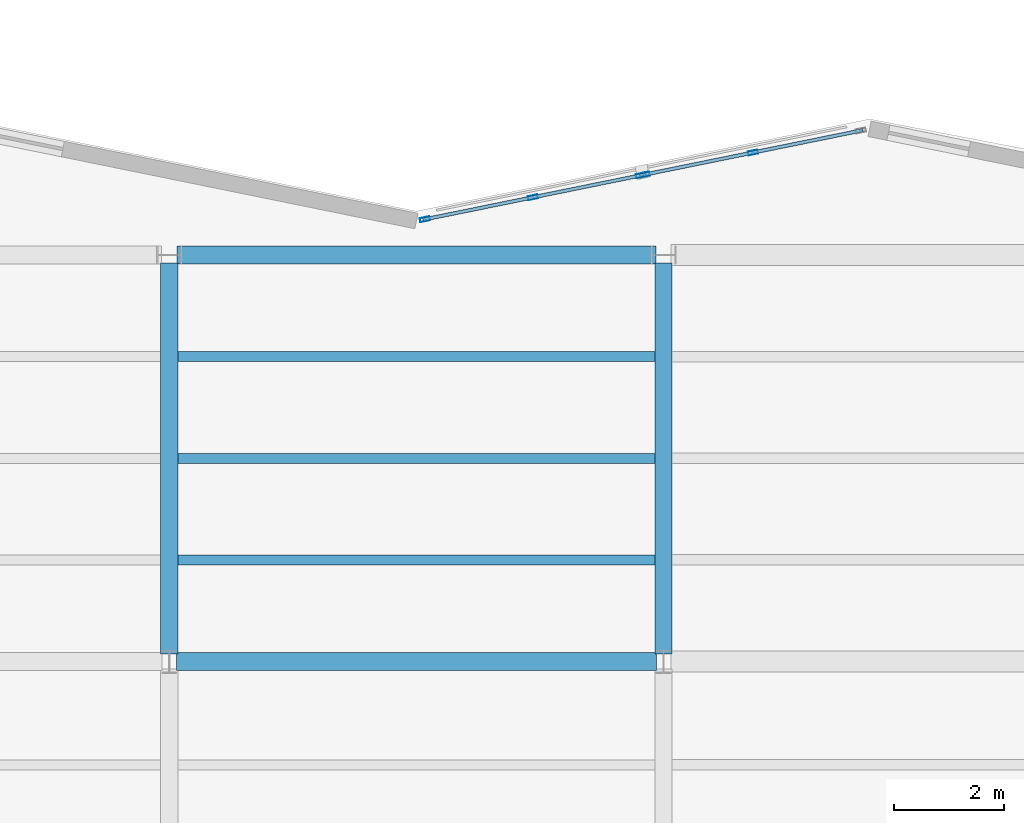
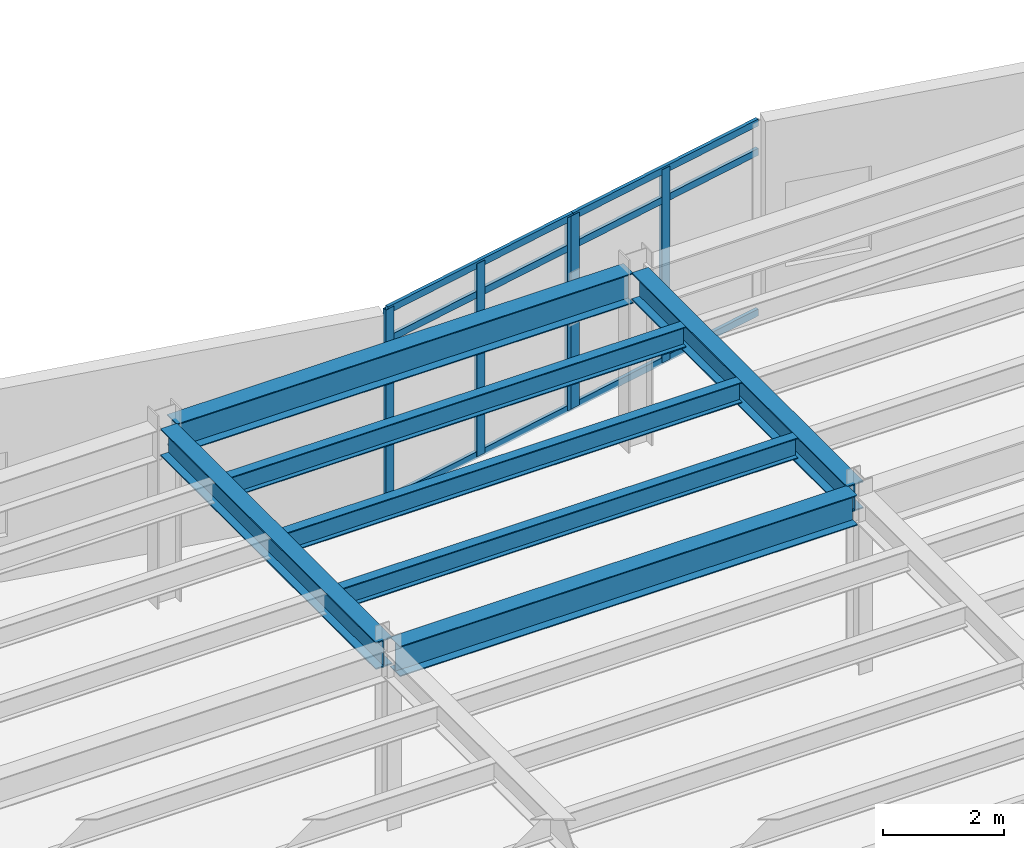
# One storey, part 17 of 46: 11 members, 7 beams, 2 elements without a shape of their own.
"""IFC4 building model written with IfcOpenShell, lengths in metres."""

from ifc_helpers import new_model, si_unit, direction, frame, origin, origin_2d, place, context, subcontext, project, spatial, hollow_rectangle, i_section, extrude, material, layer, layer_set, material_profile, profile_set, type_object, element, aggregate, save


model = new_model("IFC4")

# Units and contexts
model_context = context("Model", 3, precision=1e-05, world=origin(), true_north=direction((0.0, 1.0)))
body_context = subcontext(model_context, "Body", "Model", "MODEL_VIEW")
ifc_project = project(units=[si_unit("LENGTHUNIT", "METRE"), si_unit("AREAUNIT", "SQUARE_METRE"), si_unit("VOLUMEUNIT", "CUBIC_METRE"), si_unit("PLANEANGLEUNIT", "RADIAN"), si_unit("MASSUNIT", "GRAM", prefix="KILO")], contexts=[model_context])

# Site, building, storey
site_placement = place(None, origin())
site = spatial("IfcSite", under=ifc_project, at=site_placement, CompositionType="ELEMENT")
building_placement = place(site_placement, origin())
building = spatial("IfcBuilding", under=site, at=building_placement, Name="Sollismere Congress Hotel", CompositionType="ELEMENT")
storey_placement = place(building_placement, frame((0.0, 0.0, 19.5)))
storey = spatial("IfcBuildingStorey", under=building, at=storey_placement, Name="L04", CompositionType="ELEMENT", Elevation=19.5)

# Beams
ifc_material_1 = material(Name="Steel ASTM A992 Grade 50", Category="steel")
ifc_material_profile_1 = material_profile(ifc_material_1, i_section(OverallWidth=0.31494140625, OverallDepth=0.551025390625, WebThickness=0.01513671875, FlangeThickness=0.0244140625, at=origin_2d()), Name="W21X122")
ifc_profile_set_1 = profile_set([ifc_material_profile_1], Name="Steel ASTM A992 Grade 50")
beam_type_1 = type_object("IfcBeamType", Name="BM-G21H", PredefinedType="BEAM", material=ifc_profile_set_1)
for number, where, z_axis, x_axis, name in (
    (1, (103.0, 95.139892578125, 3.33447265625), (0.0, 1.0, 0.0), (-1.0, 0.0, 0.0), "Beam BM-L04-2750"),
    (2, (112.0, 95.139892578125, 3.33447265625), (0.0, 1.0, 0.0), (-1.0, 0.0, 0.0), "Beam BM-L04-2755"),
):
    element("IfcBeam", number, at=place(storey_placement, frame(where, z_axis=z_axis, x_axis=x_axis)), inside=storey, type_object=beam_type_1, Name=name, PredefinedType="BEAM", context=body_context, shape_type="SweptSolid", body=[
        extrude(i_section(OverallWidth=0.31494140625, OverallDepth=0.551025390625, WebThickness=0.01513671875, FlangeThickness=0.0244140625, at=origin_2d()), origin(), (0.0, 0.0, 1.0), 7.1201171875),
    ])
ifc_material_profile_2 = material_profile(ifc_material_1, i_section(OverallWidth=0.324951171875, OverallDepth=0.612060546875, WebThickness=0.0126953125, FlangeThickness=0.01904296875, at=origin_2d()), Name="W24X104")
ifc_profile_set_2 = profile_set([ifc_material_profile_2], Name="Steel ASTM A992 Grade 50")
beam_type_2 = type_object("IfcBeamType", Name="BM-G24", PredefinedType="BEAM", material=ifc_profile_set_2)
beam_1_placement = place(storey_placement, frame((103.131103515625, 95.0, 3.303955078125), z_axis=(1.0, 0.0, 0.0), x_axis=(0.0, 1.0, 0.0)))
element("IfcBeam", 3, at=beam_1_placement, inside=storey, type_object=beam_type_2, Name="Beam BM-L04-2710", PredefinedType="BEAM", context=body_context, shape_type="SweptSolid", body=[
    extrude(i_section(OverallWidth=0.324951171875, OverallDepth=0.612060546875, WebThickness=0.0126953125, FlangeThickness=0.01904296875, at=origin_2d()), origin(), (0.0, 0.0, 1.0), 8.73779296875),
])
beam_2_placement = place(storey_placement, frame((103.139892578125, 102.39990234375, 3.303955078125), z_axis=(1.0, 0.0, 0.0), x_axis=(0.0, 1.0, 0.0)))
element("IfcBeam", 4, at=beam_2_placement, inside=storey, type_object=beam_type_2, Name="Beam BM-L04-2717", PredefinedType="BEAM", context=body_context, shape_type="SweptSolid", body=[
    extrude(i_section(OverallWidth=0.324951171875, OverallDepth=0.612060546875, WebThickness=0.0126953125, FlangeThickness=0.01904296875, at=origin_2d()), origin(), (0.0, 0.0, 1.0), 8.72021484375),
])
ifc_material_profile_3 = material_profile(ifc_material_1, i_section(OverallWidth=0.180908203125, OverallDepth=0.4169921875, WebThickness=0.010986328125, FlangeThickness=0.018310546875, at=origin_2d()), Name="W16X57")
ifc_profile_set_3 = profile_set([ifc_material_profile_3], Name="Steel ASTM A992 Grade 50")
beam_type_3 = type_object("IfcBeamType", Name="BM-J16", PredefinedType="JOIST", material=ifc_profile_set_3)
for number, where, z_axis, x_axis, name in (
    (5, (103.157470703125, 96.85009765625, 3.401611328125), (1.0, 0.0, 0.0), (0.0, 1.0, 0.0), "Beam BM-L04-2873"),
    (6, (103.157470703125, 98.699951171875, 3.401611328125), (1.0, 0.0, 0.0), (0.0, 1.0, 0.0), "Beam BM-L04-2874"),
    (7, (103.157470703125, 100.550048828125, 3.401611328125), (1.0, 0.0, 0.0), (0.0, 1.0, 0.0), "Beam BM-L04-2875"),
):
    element("IfcBeam", number, at=place(storey_placement, frame(where, z_axis=z_axis, x_axis=x_axis)), inside=storey, type_object=beam_type_3, Name=name, PredefinedType="JOIST", context=body_context, shape_type="SweptSolid", body=[
        extrude(i_section(OverallWidth=0.180908203125, OverallDepth=0.4169921875, WebThickness=0.010986328125, FlangeThickness=0.018310546875, at=origin_2d()), origin(), (0.0, 0.0, 1.0), 8.68505859375),
    ])

# Curtain wall, members
ifc_material_2 = material(Name="Anodized Bronze Curtain Wall & Low-E Triple Glazing", Category="glass")
ifc_layer = layer(ifc_material_2, 0.199951171875, Name="Anodized Bronze Curtain Wall & Low-E Triple Glazing")
ifc_layer_set = layer_set([ifc_layer], Name="Anodized Bronze Curtain Wall & Low-E Triple Glazing")
curtain_wall_type = type_object("IfcCurtainWallType", Name="CW-GLZ36", PredefinedType="USERDEFINED", material=ifc_layer_set)
curtain_wall_1_placement = place(storey_placement, origin())
curtain_wall_1 = element("IfcCurtainWall", 8, at=curtain_wall_1_placement, inside=storey, type_object=curtain_wall_type, Name="Unitised curtain wall CW-L04-119", ObjectType="UNITISED CURTAIN WALL", PredefinedType="USERDEFINED")
ifc_material_3 = material(Name="Anodized Aluminum 6063-T6", Category="aluminium")
ifc_material_profile_4 = material_profile(ifc_material_3, hollow_rectangle(XDim=0.074951171875, YDim=0.179931640625, WallThickness=0.0048828125, at=origin_2d()), Name="ALU180X75X5")
ifc_profile_set_4 = profile_set([ifc_material_profile_4], Name="Anodized Aluminum 6063-T6")
member_type_1 = type_object("IfcMemberType", Name="ML-CW180", PredefinedType="MULLION", material=ifc_profile_set_4)
member_1_placement = place(storey_placement, frame((107.65478515625, 103.051513671875, 0.0), z_axis=(0.0, 0.0, 1.0), x_axis=(-0.199367934417, 0.979924704621, 0.0)))
member_1 = element("IfcMember", 9, at=member_1_placement, type_object=member_type_1, Name="CWL-CW-L04-119-ML01", PredefinedType="MULLION", context=body_context, shape_type="SweptSolid", body=[
    extrude(hollow_rectangle(XDim=0.074951171875, YDim=0.179931640625, WallThickness=0.0048828125, at=origin_2d()), origin(), (0.0, 0.0, 1.0), 3.89990234375),
])
member_2_placement = place(storey_placement, frame((109.621337890625, 103.45166015625, 0.0), z_axis=(0.0, 0.0, 1.0), x_axis=(-0.199367934417, 0.979924704621, 0.0)))
member_2 = element("IfcMember", 10, at=member_2_placement, type_object=member_type_1, Name="CWL-CW-L04-119-ML02", PredefinedType="MULLION", context=body_context, shape_type="SweptSolid", body=[
    extrude(hollow_rectangle(XDim=0.074951171875, YDim=0.179931640625, WallThickness=0.0048828125, at=origin_2d()), origin(), (0.0, 0.0, 1.0), 3.89990234375),
])
member_3_placement = place(storey_placement, frame((111.587890625, 103.851806640625, 0.0), z_axis=(0.0, 0.0, 1.0), x_axis=(-0.199367934417, 0.979924704621, 0.0)))
member_3 = element("IfcMember", 11, at=member_3_placement, type_object=member_type_1, Name="CWL-CW-L04-119-ML03", PredefinedType="MULLION", context=body_context, shape_type="SweptSolid", body=[
    extrude(hollow_rectangle(XDim=0.074951171875, YDim=0.179931640625, WallThickness=0.0048828125, at=origin_2d()), origin(), (0.0, 0.0, 1.0), 3.89990234375),
])

curtain_wall_2_placement = place(storey_placement, origin())
curtain_wall_2 = element("IfcCurtainWall", 12, at=curtain_wall_2_placement, inside=storey, type_object=curtain_wall_type, Name="Unitised curtain wall CW-L04-120", ObjectType="UNITISED CURTAIN WALL", PredefinedType="USERDEFINED")
member_4_placement = place(storey_placement, frame((111.662109375, 103.86669921875, 0.0), z_axis=(0.0, 0.0, 1.0), x_axis=(-0.199367934417, 0.979924704621, 0.0)))
member_4 = element("IfcMember", 13, at=member_4_placement, type_object=member_type_1, Name="CWL-CW-L04-120-ML01", PredefinedType="MULLION", context=body_context, shape_type="SweptSolid", body=[
    extrude(hollow_rectangle(XDim=0.074951171875, YDim=0.179931640625, WallThickness=0.0048828125, at=origin_2d()), origin(), (0.0, 0.0, 1.0), 3.89990234375),
])
member_5_placement = place(storey_placement, frame((113.628662109375, 104.266845703125, 0.0), z_axis=(0.0, 0.0, 1.0), x_axis=(-0.199367934417, 0.979924704621, 0.0)))
member_5 = element("IfcMember", 14, at=member_5_placement, type_object=member_type_1, Name="CWL-CW-L04-120-ML02", PredefinedType="MULLION", context=body_context, shape_type="SweptSolid", body=[
    extrude(hollow_rectangle(XDim=0.074951171875, YDim=0.179931640625, WallThickness=0.0048828125, at=origin_2d()), origin(), (0.0, 0.0, 1.0), 3.89990234375),
])

# Member
ifc_material_profile_5 = material_profile(ifc_material_3, hollow_rectangle(XDim=0.06494140625, YDim=0.139892578125, WallThickness=0.00390625, at=origin_2d()), Name="ALU140X65X4")
ifc_profile_set_5 = profile_set([ifc_material_profile_5], Name="Anodized Aluminum 6063-T6")
member_type_2 = type_object("IfcMemberType", Name="TR-CW150", PredefinedType="MEMBER", material=ifc_profile_set_5)
member_6_placement = place(storey_placement, frame((107.61767578125, 103.0439453125, 0.032470703125), z_axis=(0.979918476409, 0.199398544609, 0.0), x_axis=(-0.199398544609, 0.979918476409, 0.0)))
member_6 = element("IfcMember", 15, at=member_6_placement, type_object=member_type_2, Name="CWL-CW-L04-119-TR1", PredefinedType="MEMBER", context=body_context, shape_type="SweptSolid", body=[
    extrude(hollow_rectangle(XDim=0.06494140625, YDim=0.139892578125, WallThickness=0.00390625, at=origin_2d()), origin(), (0.0, 0.0, 1.0), 4.08935546875),
])

member_7_placement = place(storey_placement, frame((107.61767578125, 103.0439453125, 3.27587890625), z_axis=(0.979918476409, 0.199398544609, 0.0), x_axis=(-0.199398544609, 0.979918476409, 0.0)))
member_7 = element("IfcMember", 16, at=member_7_placement, type_object=member_type_2, Name="CWL-CW-L04-119-TR2", PredefinedType="MEMBER", context=body_context, shape_type="SweptSolid", body=[
    extrude(hollow_rectangle(XDim=0.06494140625, YDim=0.139892578125, WallThickness=0.00390625, at=origin_2d()), origin(), (0.0, 0.0, 1.0), 4.08935546875),
])

member_8_placement = place(storey_placement, frame((107.61767578125, 103.0439453125, 3.867431640625), z_axis=(0.979918476409, 0.199398544609, 0.0), x_axis=(-0.199398544609, 0.979918476409, 0.0)))
member_8 = element("IfcMember", 17, at=member_8_placement, type_object=member_type_2, Name="CWL-CW-L04-119-TR3", PredefinedType="MEMBER", context=body_context, shape_type="SweptSolid", body=[
    extrude(hollow_rectangle(XDim=0.06494140625, YDim=0.139892578125, WallThickness=0.00390625, at=origin_2d()), origin(), (0.0, 0.0, 1.0), 4.08935546875),
])

aggregate(curtain_wall_1, [member_1, member_2, member_3, member_6, member_7, member_8])

member_9_placement = place(storey_placement, frame((111.625, 103.859375, 0.032470703125), z_axis=(0.979930139944, 0.199341217087, 0.0), x_axis=(-0.199341217087, 0.979930139944, 0.0)))
member_9 = element("IfcMember", 18, at=member_9_placement, type_object=member_type_2, Name="CWL-CW-L04-120-TR1", PredefinedType="MEMBER", context=body_context, shape_type="SweptSolid", body=[
    extrude(hollow_rectangle(XDim=0.06494140625, YDim=0.139892578125, WallThickness=0.00390625, at=origin_2d()), origin(), (0.0, 0.0, 1.0), 4.08935546875),
])

member_10_placement = place(storey_placement, frame((111.625, 103.859375, 3.27587890625), z_axis=(0.979930139944, 0.199341217087, 0.0), x_axis=(-0.199341217087, 0.979930139944, 0.0)))
member_10 = element("IfcMember", 19, at=member_10_placement, type_object=member_type_2, Name="CWL-CW-L04-120-TR2", PredefinedType="MEMBER", context=body_context, shape_type="SweptSolid", body=[
    extrude(hollow_rectangle(XDim=0.06494140625, YDim=0.139892578125, WallThickness=0.00390625, at=origin_2d()), origin(), (0.0, 0.0, 1.0), 4.08935546875),
])

member_11_placement = place(storey_placement, frame((111.625, 103.859375, 3.867431640625), z_axis=(0.979930139944, 0.199341217087, 0.0), x_axis=(-0.199341217087, 0.979930139944, 0.0)))
member_11 = element("IfcMember", 20, at=member_11_placement, type_object=member_type_2, Name="CWL-CW-L04-120-TR3", PredefinedType="MEMBER", context=body_context, shape_type="SweptSolid", body=[
    extrude(hollow_rectangle(XDim=0.06494140625, YDim=0.139892578125, WallThickness=0.00390625, at=origin_2d()), origin(), (0.0, 0.0, 1.0), 4.08935546875),
])

aggregate(curtain_wall_2, [member_4, member_5, member_9, member_10, member_11])

save(model, "model.ifc")
